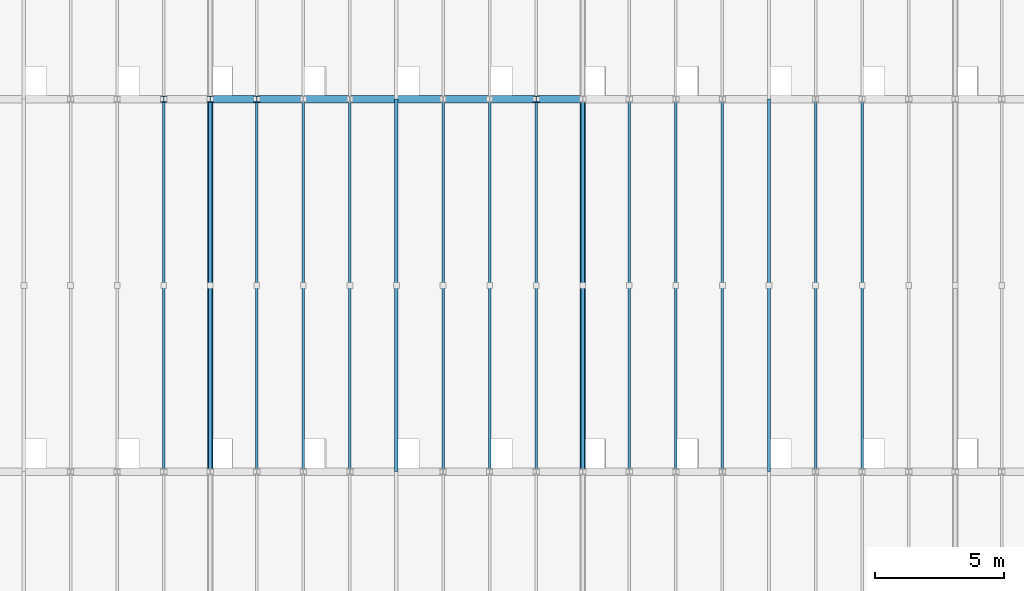
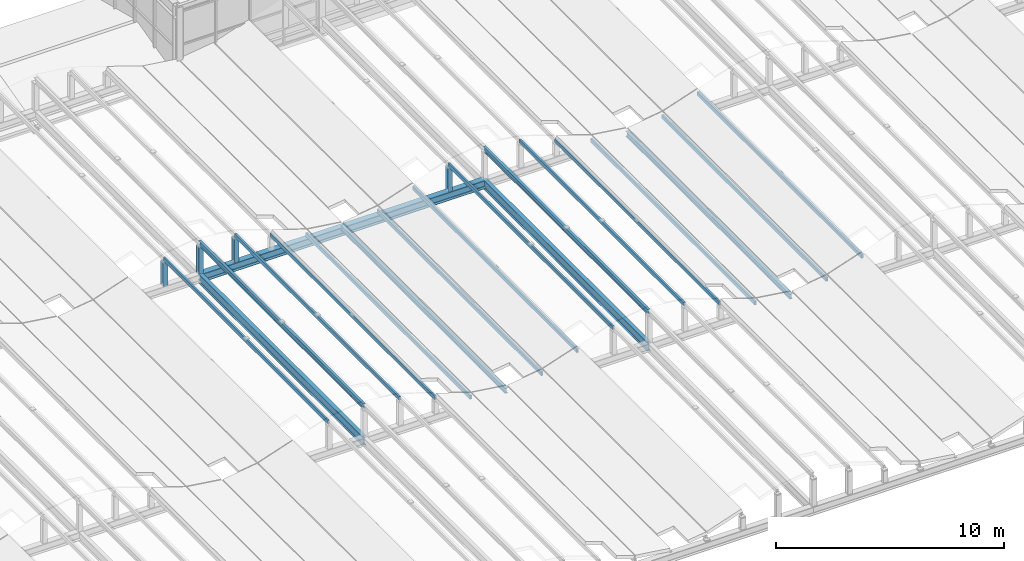
# One storey, part 27 of 83: 20 members, 3 beams.
"""IFC4 building model written with IfcOpenShell, lengths in metres."""

import ifcopenshell
import ifcopenshell.guid

model = None  # the IFC model being written
_history = None  # IfcOwnerHistory: only IFC2X3 demands one
_inside = {}  # id of a spatial element -> (the spatial element, [elements in it])
_under = {}  # id of a project, library or spatial element -> (it, [spatial elements below it])
_declared = {}  # id of a project -> (the project, [libraries it declares])
_typed = {}  # id of a type object -> (the type object, [elements of that type])
_made_of = {}  # id of a material, layer set ... -> (it, [elements and type objects made of it])


def new_model(schema):
    """Start an empty IFC model of exactly this schema.

    Asked for "IFC4X3", IfcOpenShell would pick the latest addendum, in which some entities
    have other attributes; the version numbers below select the first issue.
    IFC2X3 requires an IfcOwnerHistory on every rooted entity: one is made here for all.
    """
    global model, _history
    if schema == "IFC4X3":
        model = ifcopenshell.file(schema_version=(4, 3, 0, 0))
    else:
        model = ifcopenshell.file(schema=schema)
    _inside.clear()
    _under.clear()
    _declared.clear()
    _typed.clear()
    _made_of.clear()
    _history = None
    if model.schema == "IFC2X3":
        org = make("IfcOrganization", Name="unknown")
        user = make(
            "IfcPersonAndOrganization",
            ThePerson=make("IfcPerson", FamilyName="unknown"),
            TheOrganization=org,
        )
        app = make(
            "IfcApplication",
            ApplicationDeveloper=org,
            Version="unknown",
            ApplicationFullName="unknown",
            ApplicationIdentifier="unknown",
        )
        _history = make(
            "IfcOwnerHistory",
            OwningUser=user,
            OwningApplication=app,
            ChangeAction="ADDED",
            CreationDate=0,
        )
    return model


def make(cls, **values):
    """One entity of the class cls with the attributes given. An attribute that is None is left unset."""
    return model.create_entity(
        cls, **{name: value for name, value in values.items() if value is not None}
    )


def rooted(cls, **values):
    """An entity with a GlobalId (a new one), such as an element, a storey or a relation."""
    return make(cls, GlobalId=ifcopenshell.guid.new(), OwnerHistory=_history, **values)


def si_unit(unit_type, name, prefix=None):
    """IfcSIUnit, for example si_unit("LENGTHUNIT", "METRE", prefix="MILLI")."""
    return make("IfcSIUnit", UnitType=unit_type, Prefix=prefix, Name=name)


def assignment(units):
    """IfcUnitAssignment: the units of a project."""
    return None if units is None else make("IfcUnitAssignment", Units=units)


def point(xyz):
    """IfcCartesianPoint."""
    return None if xyz is None else make("IfcCartesianPoint", Coordinates=xyz)


def direction(xyz):
    """IfcDirection."""
    return None if xyz is None else make("IfcDirection", DirectionRatios=xyz)


def frame(location, z_axis=None, x_axis=None):
    """IfcAxis2Placement3D, a coordinate frame: its origin and axes. An axis left out is left unset."""
    return make(
        "IfcAxis2Placement3D",
        Location=point(location),
        Axis=direction(z_axis),
        RefDirection=direction(x_axis),
    )


def frame_2d(location, x_axis=None):
    """IfcAxis2Placement2D, a coordinate frame in the plane: its origin and x axis."""
    return make(
        "IfcAxis2Placement2D", Location=point(location), RefDirection=direction(x_axis)
    )


def origin():
    """The frame at (0, 0, 0) with its axes left unset."""
    return frame((0.0, 0.0, 0.0))


def origin_2d():
    """The frame at (0, 0) in the plane with its x axis left unset."""
    return frame_2d((0.0, 0.0))


def place(relative_to, where):
    """IfcLocalPlacement: puts the frame where relative to a parent placement (None: the world)."""
    return make(
        "IfcLocalPlacement", PlacementRelTo=relative_to, RelativePlacement=where
    )


def context(
    kind, dimensions, precision=None, world=None, true_north=None, identifier=None
):
    """IfcGeometricRepresentationContext, for example the 3D "Model" context."""
    return make(
        "IfcGeometricRepresentationContext",
        ContextIdentifier=identifier,
        ContextType=kind,
        CoordinateSpaceDimension=dimensions,
        Precision=precision,
        WorldCoordinateSystem=world,
        TrueNorth=true_north,
    )


def subcontext(parent, identifier, kind, view, scale=None):
    """IfcGeometricRepresentationSubContext, for example "Body" below "Model"."""
    return make(
        "IfcGeometricRepresentationSubContext",
        ContextIdentifier=identifier,
        ContextType=kind,
        ParentContext=parent,
        TargetScale=scale,
        TargetView=view,
    )


def project(units=None, contexts=None):
    """IfcProject with its units and contexts."""
    return rooted(
        "IfcProject",
        Name="project",
        RepresentationContexts=contexts,
        UnitsInContext=assignment(units),
    )


def spatial(cls, under=None, at=None, **own):
    """A site, building, storey or space (cls), placed at a placement, below another one or the project."""
    s = rooted(cls, ObjectPlacement=at, **own)
    if under is not None:
        _under.setdefault(under.id(), (under, []))[1].append(s)
    return s


def profile(cls, at=None, kind="AREA", **sizes):
    """A parametric profile (cls). Its sizes go by their IFC names, for example OverallWidth=200.0."""
    return make(cls, ProfileType=kind, Position=at, **sizes)


def hollow_rectangle(**sizes):
    """IfcRectangleHollowProfileDef."""
    return profile("IfcRectangleHollowProfileDef", **sizes)


def i_section(**sizes):
    """IfcIShapeProfileDef."""
    return profile("IfcIShapeProfileDef", **sizes)


def extrude(swept, where, along, depth):
    """IfcExtrudedAreaSolid: the profile swept, set in the frame where, extruded along a direction by depth."""
    return make(
        "IfcExtrudedAreaSolid",
        SweptArea=swept,
        Position=where,
        ExtrudedDirection=direction(along),
        Depth=depth,
    )


def shape(context_of_items, identifier, shape_type, items):
    """IfcShapeRepresentation: the items that make up one representation, for example the "Body"."""
    return make(
        "IfcShapeRepresentation",
        ContextOfItems=context_of_items,
        RepresentationIdentifier=identifier,
        RepresentationType=shape_type,
        Items=items,
    )


def material(Name=None, Category=None):
    """IfcMaterial."""
    return make("IfcMaterial", Name=Name, Category=Category)


def material_profile(
    of_material, cross_section, Name=None, Category=None, Priority=None
):
    """IfcMaterialProfile: a cross section and its material."""
    return make(
        "IfcMaterialProfile",
        Name=Name,
        Material=of_material,
        Profile=cross_section,
        Priority=Priority,
        Category=Category,
    )


def profile_set(profiles, Name=None, composite=None):
    """IfcMaterialProfileSet."""
    return make(
        "IfcMaterialProfileSet",
        Name=Name,
        MaterialProfiles=profiles,
        CompositeProfile=composite,
    )


def made_of(thing, what):
    """Note that an element or type object is made of a material, layer set ...; save() writes the relation."""
    if what is not None:
        _made_of.setdefault(what.id(), (what, []))[1].append(thing)
    return thing


def type_object(cls, material=None, **own):
    """A type object (cls), such as IfcWallType, which elements share."""
    return made_of(rooted(cls, **own), material)


def element(
    cls,
    number,
    at=None,
    inside=None,
    cuts=None,
    type_object=None,
    material=None,
    context=None,
    identifier="Body",
    shape_type=None,
    held_by="IfcProductDefinitionShape",
    body=None,
    shapes=None,
    **own,
):
    """One element of the class cls, such as IfcWall. Its Tag is "e" and its number.

    at: its placement. inside: the storey or other place that contains it. cuts: it is an
    opening in that element (IfcRelVoidsElement). A single representation is given by context,
    identifier, shape_type and body (its items); several are given by shapes. held_by: the class
    of the entity that holds the representations. save() writes the other relations.
    """
    e = rooted(cls, Tag="e%d" % number, ObjectPlacement=at, **own)
    if body is not None:
        shapes = [shape(context, identifier, shape_type, body)]
    if shapes is not None:
        e.Representation = make(held_by, Representations=shapes)
    if inside is not None:
        _inside.setdefault(inside.id(), (inside, []))[1].append(e)
    if cuts is not None:
        rooted(
            "IfcRelVoidsElement", RelatingBuildingElement=cuts, RelatedOpeningElement=e
        )
    if type_object is not None:
        _typed.setdefault(type_object.id(), (type_object, []))[1].append(e)
    return made_of(e, material)


def aggregate(whole, parts):
    """IfcRelAggregates: a whole, such as a stair, and the parts it consists of."""
    return rooted("IfcRelAggregates", RelatingObject=whole, RelatedObjects=parts)


def save(model, path):
    """Write the relations noted so far, then the file.

    IfcRelAggregates (storeys below a building ...), IfcRelContainedInSpatialStructure (elements
    in a storey), IfcRelDefinesByType, IfcRelAssociatesMaterial and IfcRelDeclares: one each for
    every whole, place, type object, material and project.
    """
    for whole, parts in _under.values():
        aggregate(whole, parts)
    for where, things in _inside.values():
        rooted(
            "IfcRelContainedInSpatialStructure",
            RelatedElements=things,
            RelatingStructure=where,
        )
    for kind, things in _typed.values():
        rooted("IfcRelDefinesByType", RelatedObjects=things, RelatingType=kind)
    for what, things in _made_of.values():
        rooted("IfcRelAssociatesMaterial", RelatedObjects=things, RelatingMaterial=what)
    for by, libraries in _declared.values():
        rooted("IfcRelDeclares", RelatingContext=by, RelatedDefinitions=libraries)
    model.write(path)


model = new_model("IFC4")

# Units and contexts
model_context = context("Model", 3, precision=1e-05, world=origin(), true_north=direction((0.0, 1.0)))
body_context = subcontext(model_context, "Body", "Model", "MODEL_VIEW")
ifc_project = project(units=[si_unit("LENGTHUNIT", "METRE"), si_unit("AREAUNIT", "SQUARE_METRE"), si_unit("VOLUMEUNIT", "CUBIC_METRE"), si_unit("PLANEANGLEUNIT", "RADIAN"), si_unit("MASSUNIT", "GRAM", prefix="KILO")], contexts=[model_context])

# Site, building, storey
site_placement = place(None, origin())
site = spatial("IfcSite", under=ifc_project, at=site_placement, CompositionType="ELEMENT")
building_placement = place(site_placement, origin())
building = spatial("IfcBuilding", under=site, at=building_placement, Name="Leyfeld Transit Interchange", CompositionType="ELEMENT")
storey_placement = place(building_placement, frame((0.0, 0.0, 5.39990234375)))
storey = spatial("IfcBuildingStorey", under=building, at=storey_placement, Name="L01", CompositionType="ELEMENT", Elevation=5.39990234375)

# Beams
ifc_material = material(Name="Steel S355J2", Category="steel")
ifc_material_profile_1 = material_profile(ifc_material, i_section(OverallWidth=0.300048828125, OverallDepth=0.449951171875, WebThickness=0.013916015625, FlangeThickness=0.02587890625, FilletRadius=0.027099609375, at=origin_2d()), Name="HEB 450")
ifc_profile_set_1 = profile_set([ifc_material_profile_1], Name="Steel S355J2")
beam_type_1 = type_object("IfcBeamType", Name="BM-STL-HEB450", PredefinedType="JOIST", material=ifc_profile_set_1)
beam_placement = place(storey_placement, frame((129.60009765625, 28.800048828125, 0.675048828125), z_axis=(1.0, 0.0, 0.0), x_axis=(0.0, 1.0, 0.0)))
element("IfcBeam", 1, at=beam_placement, inside=storey, type_object=beam_type_1, Name="Bus Canopy Longitudinal Girder R3 B3", PredefinedType="JOIST", context=body_context, shape_type="SweptSolid", body=[
    extrude(i_section(OverallWidth=0.300048828125, OverallDepth=0.449951171875, WebThickness=0.013916015625, FlangeThickness=0.02587890625, FilletRadius=0.027099609375, at=origin_2d()), origin(), (0.0, 0.0, 1.0), 14.39990234375),
])
ifc_material_profile_2 = material_profile(ifc_material, i_section(OverallWidth=0.199951171875, OverallDepth=0.5, WebThickness=0.01025390625, FlangeThickness=0.01611328125, FilletRadius=0.02099609375, at=origin_2d()), Name="IPE 500")
ifc_profile_set_2 = profile_set([ifc_material_profile_2], Name="Steel S355J2")
beam_type_2 = type_object("IfcBeamType", Name="BM-STL-IPE500", PredefinedType="BEAM", material=ifc_profile_set_2)
for number, where, z_axis, x_axis, name in (
    (2, (129.60009765625, 14.39990234375, 0.650146484375), (0.0, 1.0, 0.0), (-1.0, 0.0, 0.0), "Bus Canopy Transverse Portal Girder B3 R2"),
    (3, (144.0, 14.39990234375, 0.650146484375), (0.0, 1.0, 0.0), (-1.0, 0.0, 0.0), "Bus Canopy Transverse Portal Girder B4 R2"),
):
    element("IfcBeam", number, at=place(storey_placement, frame(where, z_axis=z_axis, x_axis=x_axis)), inside=storey, type_object=beam_type_2, Name=name, PredefinedType="BEAM", context=body_context, shape_type="SweptSolid", body=[
        extrude(i_section(OverallWidth=0.199951171875, OverallDepth=0.5, WebThickness=0.01025390625, FlangeThickness=0.01611328125, FilletRadius=0.02099609375, at=origin_2d()), origin(), (0.0, 0.0, 1.0), 14.400146484375),
    ])

# Members
ifc_material_profile_3 = material_profile(ifc_material, i_section(OverallWidth=0.239990234375, OverallDepth=0.22998046875, WebThickness=0.007568359375, FlangeThickness=0.011962890625, FilletRadius=0.02099609375, at=origin_2d()), Name="HEA 240")
ifc_profile_set_3 = profile_set([ifc_material_profile_3], Name="Steel S355J2")
member_type_1 = type_object("IfcMemberType", Name="MEM-CHD-HEA240", PredefinedType="CHORD", material=ifc_profile_set_3)
member_1_placement = place(storey_placement, frame((127.800048828125, 28.800048828125, 0.860107421875), z_axis=(0.0, 0.0, 1.0), x_axis=(1.0, 0.0, 0.0)))
element("IfcMember", 4, at=member_1_placement, inside=storey, type_object=member_type_1, Name="Wave Canopy Riser Post 103", PredefinedType="CHORD", context=body_context, shape_type="SweptSolid", body=[
    extrude(i_section(OverallWidth=0.239990234375, OverallDepth=0.22998046875, WebThickness=0.007568359375, FlangeThickness=0.011962890625, FilletRadius=0.02099609375, at=origin_2d()), origin(), (0.0, 0.0, 1.0), 1.2998046875),
])
member_2_placement = place(storey_placement, frame((129.60009765625, 28.800048828125, 0.860107421875), z_axis=(0.0, 0.0, 1.0), x_axis=(1.0, 0.0, 0.0)))
element("IfcMember", 5, at=member_2_placement, inside=storey, type_object=member_type_1, Name="Wave Canopy Riser Post 110", PredefinedType="CHORD", context=body_context, shape_type="SweptSolid", body=[
    extrude(i_section(OverallWidth=0.239990234375, OverallDepth=0.22998046875, WebThickness=0.007568359375, FlangeThickness=0.011962890625, FilletRadius=0.02099609375, at=origin_2d()), origin(), (0.0, 0.0, 1.0), 1.488037109375),
])
for number, where, z_axis, x_axis, name in (
    (6, (131.39990234375, 28.800048828125, 0.860107421875), (0.0, 0.0, 1.0), (1.0, 0.0, 0.0), "Wave Canopy Riser Post 117"),
    (7, (142.199951171875, 28.800048828125, 0.860107421875), (0.0, 0.0, 1.0), (1.0, 0.0, 0.0), "Wave Canopy Riser Post 155"),
):
    element("IfcMember", number, at=place(storey_placement, frame(where, z_axis=z_axis, x_axis=x_axis)), inside=storey, type_object=member_type_1, Name=name, PredefinedType="CHORD", context=body_context, shape_type="SweptSolid", body=[
        extrude(i_section(OverallWidth=0.239990234375, OverallDepth=0.22998046875, WebThickness=0.007568359375, FlangeThickness=0.011962890625, FilletRadius=0.02099609375, at=origin_2d()), origin(), (0.0, 0.0, 1.0), 1.2998046875),
    ])
ifc_material_profile_4 = material_profile(ifc_material, i_section(OverallWidth=0.135009765625, OverallDepth=0.27001953125, WebThickness=0.006591796875, FlangeThickness=0.01025390625, FilletRadius=0.014892578125, at=origin_2d()), Name="IPE 270")
ifc_profile_set_4 = profile_set([ifc_material_profile_4], Name="Steel S355J2")
member_type_2 = type_object("IfcMemberType", Name="MEM-PUR-IPE270", PredefinedType="PURLIN", material=ifc_profile_set_4)
for number, where, z_axis, x_axis, name in (
    (8, (129.60009765625, 14.39990234375, 2.498291015625), (0.0, 1.0, 0.0), (-1.0, 0.0, 0.0), "Bus Canopy Purlin 107"),
    (9, (136.800048828125, 14.39990234375, 0.792724609375), (0.0, 1.0, 0.0), (-1.0, 0.0, 0.0), "Bus Canopy Purlin 134"),
    (10, (144.0, 14.39990234375, 2.498291015625), (0.0, 1.0, 0.0), (-1.0, 0.0, 0.0), "Bus Canopy Purlin 159"),
    (11, (151.199951171875, 14.39990234375, 0.792724609375), (0.0, 1.0, 0.0), (-1.0, 0.0, 0.0), "Bus Canopy Purlin 186"),
):
    element("IfcMember", number, at=place(storey_placement, frame(where, z_axis=z_axis, x_axis=x_axis)), inside=storey, type_object=member_type_2, Name=name, PredefinedType="PURLIN", context=body_context, shape_type="SweptSolid", body=[
        extrude(i_section(OverallWidth=0.135009765625, OverallDepth=0.27001953125, WebThickness=0.006591796875, FlangeThickness=0.01025390625, FilletRadius=0.014892578125, at=origin_2d()), origin(), (0.0, 0.0, 1.0), 14.400146484375),
    ])
ifc_material_profile_5 = material_profile(ifc_material, hollow_rectangle(XDim=0.10009765625, YDim=0.199951171875, WallThickness=0.008056640625, at=origin_2d()), Name="RHS 200x100x8")
ifc_profile_set_5 = profile_set([ifc_material_profile_5], Name="Steel S355J2")
member_type_3 = type_object("IfcMemberType", Name="MEM-PUR-RHS200", PredefinedType="PURLIN", material=ifc_profile_set_5)
for number, where, z_axis, x_axis, name in (
    (12, (127.800048828125, 14.39990234375, 2.275634765625), (0.0, 1.0, 0.0), (-1.0, 0.0, 0.0), "Bus Canopy Purlin 100"),
    (13, (131.39990234375, 14.39990234375, 2.275634765625), (0.0, 1.0, 0.0), (-1.0, 0.0, 0.0), "Bus Canopy Purlin 114"),
    (14, (133.199951171875, 14.39990234375, 1.67236328125), (0.0, 1.0, 0.0), (-1.0, 0.0, 0.0), "Bus Canopy Purlin 121"),
    (15, (135.0, 14.39990234375, 1.07080078125), (0.0, 1.0, 0.0), (-1.0, 0.0, 0.0), "Bus Canopy Purlin 128"),
    (16, (138.60009765625, 14.39990234375, 1.07080078125), (0.0, 1.0, 0.0), (-1.0, 0.0, 0.0), "Bus Canopy Purlin 138"),
    (17, (140.39990234375, 14.39990234375, 1.67236328125), (0.0, 1.0, 0.0), (-1.0, 0.0, 0.0), "Bus Canopy Purlin 145"),
    (18, (142.199951171875, 14.39990234375, 2.275634765625), (0.0, 1.0, 0.0), (-1.0, 0.0, 0.0), "Bus Canopy Purlin 152"),
    (19, (145.800048828125, 14.39990234375, 2.275634765625), (0.0, 1.0, 0.0), (-1.0, 0.0, 0.0), "Bus Canopy Purlin 166"),
    (20, (147.60009765625, 14.39990234375, 1.67236328125), (0.0, 1.0, 0.0), (-1.0, 0.0, 0.0), "Bus Canopy Purlin 173"),
    (21, (149.39990234375, 14.39990234375, 1.07080078125), (0.0, 1.0, 0.0), (-1.0, 0.0, 0.0), "Bus Canopy Purlin 180"),
    (22, (153.0, 14.39990234375, 1.07080078125), (0.0, 1.0, 0.0), (-1.0, 0.0, 0.0), "Bus Canopy Purlin 190"),
    (23, (154.800048828125, 14.39990234375, 1.67236328125), (0.0, 1.0, 0.0), (-1.0, 0.0, 0.0), "Bus Canopy Purlin 197"),
):
    element("IfcMember", number, at=place(storey_placement, frame(where, z_axis=z_axis, x_axis=x_axis)), inside=storey, type_object=member_type_3, Name=name, PredefinedType="PURLIN", context=body_context, shape_type="SweptSolid", body=[
        extrude(hollow_rectangle(XDim=0.10009765625, YDim=0.199951171875, WallThickness=0.008056640625, at=origin_2d()), origin(), (0.0, 0.0, 1.0), 14.400146484375),
    ])

save(model, "model.ifc")
